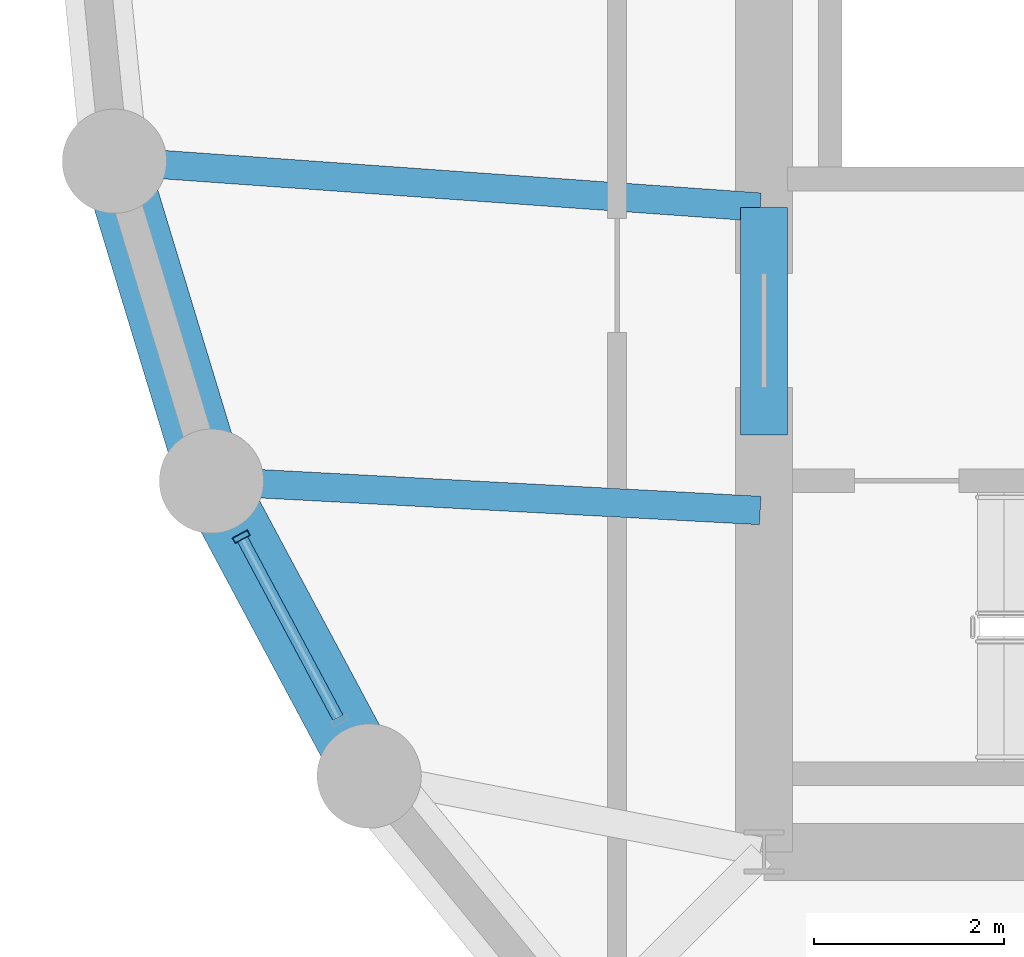
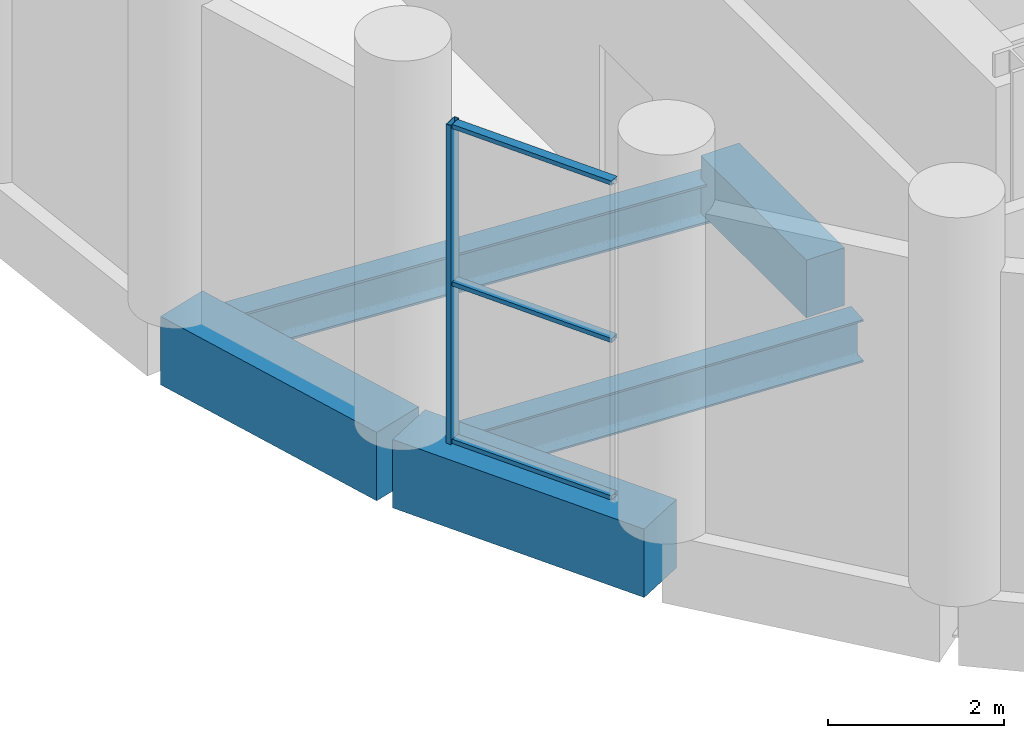
# One storey, part 3 of 27: 5 beams, 4 members, 1 element without a shape of its own.
"""IFC4 building model written with IfcOpenShell, lengths in metres."""

from ifc_helpers import new_model, si_unit, direction, frame, origin, origin_2d, place, context, subcontext, project, spatial, rectangle, hollow_rectangle, i_section, extrude, material, layer, layer_set, material_profile, profile_set, type_object, element, aggregate, save


model = new_model("IFC4")

# Units and contexts
model_context = context("Model", 3, precision=1e-05, world=origin(), true_north=direction((0.0, 1.0)))
body_context = subcontext(model_context, "Body", "Model", "MODEL_VIEW")
ifc_project = project(units=[si_unit("LENGTHUNIT", "METRE"), si_unit("AREAUNIT", "SQUARE_METRE"), si_unit("VOLUMEUNIT", "CUBIC_METRE"), si_unit("PLANEANGLEUNIT", "RADIAN"), si_unit("MASSUNIT", "GRAM", prefix="KILO")], contexts=[model_context])

# Site, building, storey
site_placement = place(None, origin())
site = spatial("IfcSite", under=ifc_project, at=site_placement, CompositionType="ELEMENT")
building_placement = place(site_placement, origin())
building = spatial("IfcBuilding", under=site, at=building_placement, Name="Solnavia Interchange Tower", CompositionType="ELEMENT")
storey_placement = place(building_placement, frame((0.0, 0.0, 74.699951171875)))
storey = spatial("IfcBuildingStorey", under=building, at=storey_placement, Name="L18", CompositionType="ELEMENT", Elevation=74.699951171875)

# Beams
ifc_material_1 = material(Name="Concrete C50/60", Category="concrete")
ifc_material_profile_1 = material_profile(ifc_material_1, rectangle(XDim=0.5, YDim=0.800048828125, at=origin_2d()), Name="RC 500x800")
ifc_profile_set_1 = profile_set([ifc_material_profile_1], Name="Concrete C50/60")
beam_type_1 = type_object("IfcBeamType", Name="Beam-Coupling-RC500x800", PredefinedType="LINTEL", material=ifc_profile_set_1)
beam_1_placement = place(storey_placement, frame((14.39990234375, 15.199951171875, -0.39990234375), z_axis=(0.0, 1.0, 0.0), x_axis=(-1.0, 0.0, 0.0)))
element("IfcBeam", 1, at=beam_1_placement, inside=storey, type_object=beam_type_1, Name="CPB-L18-W1 Core coupling lintel beam", PredefinedType="LINTEL", context=body_context, shape_type="SweptSolid", body=[
    extrude(rectangle(XDim=0.5, YDim=0.800048828125, at=origin_2d()), origin(), (0.0, 0.0, 1.0), 2.400146484375),
])
ifc_material_2 = material(Name="Steel S460", Category="steel")
ifc_material_profile_2 = material_profile(ifc_material_2, i_section(OverallWidth=0.300048828125, OverallDepth=0.550048828125, WebThickness=0.014892578125, FlangeThickness=0.029052734375, FilletRadius=0.027099609375, at=origin_2d()), Name="HEB 550")
ifc_profile_set_2 = profile_set([ifc_material_profile_2], Name="Steel S460")
beam_type_2 = type_object("IfcBeamType", Name="Beam-Girder-HEB550", PredefinedType="BEAM", material=ifc_profile_set_2)
beam_2_placement = place(storey_placement, frame((7.625732421875, 18.082275390625, -0.594970703125), z_axis=(0.99747482749, -0.071020902015, 0.0), x_axis=(0.071020902015, 0.99747482749, 0.0)))
element("IfcBeam", 2, at=beam_2_placement, inside=storey, type_object=beam_type_2, Name="GRD-L18-DR22 Drum radial floor girder", PredefinedType="BEAM", context=body_context, shape_type="SweptSolid", body=[
    extrude(i_section(OverallWidth=0.300048828125, OverallDepth=0.550048828125, WebThickness=0.014892578125, FlangeThickness=0.029052734375, FilletRadius=0.027099609375, at=origin_2d()), origin(), (0.0, 0.0, 1.0), 6.75146484375),
])
ifc_material_3 = material(Name="Steel S355", Category="steel")
ifc_material_profile_3 = material_profile(ifc_material_3, i_section(OverallWidth=0.300048828125, OverallDepth=0.590087890625, WebThickness=0.012939453125, FlangeThickness=0.02490234375, FilletRadius=0.027099609375, at=origin_2d()), Name="HEA 600")
ifc_profile_set_3 = profile_set([ifc_material_profile_3], Name="Steel S355")
beam_type_3 = type_object("IfcBeamType", Name="Beam-Primary-HEA600", PredefinedType="BEAM", material=ifc_profile_set_3)
beam_3_placement = place(storey_placement, frame((8.64990234375, 14.707763671875, -0.614990234375), z_axis=(0.998570371303, -0.053452909696, 0.0), x_axis=(0.053452909696, 0.998570371303, 0.0)))
element("IfcBeam", 3, at=beam_3_placement, inside=storey, type_object=beam_type_3, Name="GRD-L18-DR23 Drum radial floor girder", PredefinedType="BEAM", context=body_context, shape_type="SweptSolid", body=[
    extrude(i_section(OverallWidth=0.300048828125, OverallDepth=0.590087890625, WebThickness=0.012939453125, FlangeThickness=0.02490234375, FilletRadius=0.027099609375, at=origin_2d()), origin(), (0.0, 0.0, 1.0), 5.71826171875),
])
ifc_material_profile_4 = material_profile(ifc_material_1, rectangle(XDim=0.699951171875, YDim=0.949951171875, at=origin_2d()), Name="RC 700x950")
ifc_profile_set_4 = profile_set([ifc_material_profile_4], Name="Concrete C50/60")
beam_type_4 = type_object("IfcBeamType", Name="Beam-Spandrel-RC700x950", PredefinedType="SPANDREL", material=ifc_profile_set_4)
beam_4_placement = place(storey_placement, frame((7.569091796875, 18.011474609375, -0.474853515625), z_axis=(0.290319223646, -0.956929855518, 0.0), x_axis=(0.956929855518, 0.290319223646, 0.0)))
element("IfcBeam", 4, at=beam_4_placement, inside=storey, type_object=beam_type_4, Name="SPB-L18-02 Framed-tube perimeter spandrel beam", PredefinedType="SPANDREL", context=body_context, shape_type="SweptSolid", body=[
    extrude(rectangle(XDim=0.699951171875, YDim=0.949951171875, at=origin_2d()), origin(), (0.0, 0.0, 1.0), 3.367919921875),
])
beam_5_placement = place(storey_placement, frame((8.607666015625, 14.6416015625, -0.474853515625), z_axis=(0.471509422952, -0.881861023102, 0.0), x_axis=(0.881861023102, 0.471509422952, 0.0)))
element("IfcBeam", 5, at=beam_5_placement, inside=storey, type_object=beam_type_4, Name="SPB-L18-03 Framed-tube perimeter spandrel beam", PredefinedType="SPANDREL", context=body_context, shape_type="SweptSolid", body=[
    extrude(rectangle(XDim=0.699951171875, YDim=0.949951171875, at=origin_2d()), origin(), (0.0, 0.0, 1.0), 3.369140625),
])

# Curtain wall, members
ifc_material_4 = material(Name="Aluminium Alloy 6063-T6", Category="aluminium")
ifc_layer = layer(ifc_material_4, 0.199951171875)
ifc_layer_set = layer_set([ifc_layer], Name="Aluminium Alloy 6063-T6")
curtain_wall_type = type_object("IfcCurtainWallType", Name="CurtainWall-Louvre-CTW5", PredefinedType="NOTDEFINED", material=ifc_layer_set)
curtain_wall_placement = place(storey_placement, origin())
curtain_wall = element("IfcCurtainWall", 6, at=curtain_wall_placement, inside=storey, type_object=curtain_wall_type, Name="CTW-L18-L57 CTW-5 curtain wall", PredefinedType="NOTDEFINED")
ifc_material_profile_5 = material_profile(ifc_material_4, hollow_rectangle(XDim=0.06494140625, YDim=0.179931640625, WallThickness=0.00439453125, at=origin_2d()), Name="ALU 180x65x4.5")
ifc_profile_set_5 = profile_set([ifc_material_profile_5], Name="Aluminium Alloy 6063-T6")
member_type_1 = type_object("IfcMemberType", Name="CW-Mullion-CWM-5", PredefinedType="MULLION", material=ifc_profile_set_5)
member_1_placement = place(storey_placement, frame((8.883544921875, 14.12548828125, 0.0), z_axis=(0.0, 0.0, 1.0), x_axis=(0.471569181579, -0.881829069029, 0.0)))
member_1 = element("IfcMember", 7, at=member_1_placement, type_object=member_type_1, Name="CTW-5 mullion 1", PredefinedType="MULLION", context=body_context, shape_type="SweptSolid", body=[
    extrude(hollow_rectangle(XDim=0.06494140625, YDim=0.179931640625, WallThickness=0.00439453125, at=origin_2d()), origin(), (0.0, 0.0, 1.0), 4.429931640625),
])
ifc_material_profile_6 = material_profile(ifc_material_4, hollow_rectangle(XDim=0.06005859375, YDim=0.1201171875, WallThickness=0.00390625, at=origin_2d()), Name="ALU 120x60x4")
ifc_profile_set_6 = profile_set([ifc_material_profile_6], Name="Aluminium Alloy 6063-T6")
member_type_2 = type_object("IfcMemberType", Name="CW-Transom-CWT-5", PredefinedType="USERDEFINED", material=ifc_profile_set_6)
member_2_placement = place(storey_placement, frame((8.89892578125, 14.096923828125, 0.030029296875), z_axis=(0.47148466784, -0.881874258606, 0.0), x_axis=(0.0, 0.0, 1.0)))
member_2 = element("IfcMember", 8, at=member_2_placement, type_object=member_type_2, Name="CTW-5 transom 1.1", ObjectType="TRANSOM", PredefinedType="USERDEFINED", context=body_context, shape_type="SweptSolid", body=[
    extrude(hollow_rectangle(XDim=0.06005859375, YDim=0.1201171875, WallThickness=0.00390625, at=origin_2d()), origin(), (0.0, 0.0, 1.0), 2.1337890625),
])
member_3_placement = place(storey_placement, frame((8.89892578125, 14.096923828125, 2.215087890625), z_axis=(0.47148466784, -0.881874258606, 0.0), x_axis=(0.0, 0.0, 1.0)))
member_3 = element("IfcMember", 9, at=member_3_placement, type_object=member_type_2, Name="CTW-5 transom 1.2", ObjectType="TRANSOM", PredefinedType="USERDEFINED", context=body_context, shape_type="SweptSolid", body=[
    extrude(hollow_rectangle(XDim=0.06005859375, YDim=0.1201171875, WallThickness=0.00390625, at=origin_2d()), origin(), (0.0, 0.0, 1.0), 2.1337890625),
])
member_4_placement = place(storey_placement, frame((8.89892578125, 14.096923828125, 4.400146484375), z_axis=(0.47148466784, -0.881874258606, 0.0), x_axis=(0.0, 0.0, 1.0)))
member_4 = element("IfcMember", 10, at=member_4_placement, type_object=member_type_2, Name="CTW-5 transom 1.3", ObjectType="TRANSOM", PredefinedType="USERDEFINED", context=body_context, shape_type="SweptSolid", body=[
    extrude(hollow_rectangle(XDim=0.06005859375, YDim=0.1201171875, WallThickness=0.00390625, at=origin_2d()), origin(), (0.0, 0.0, 1.0), 2.1337890625),
])
aggregate(curtain_wall, [member_1, member_2, member_3, member_4])

save(model, "model.ifc")
